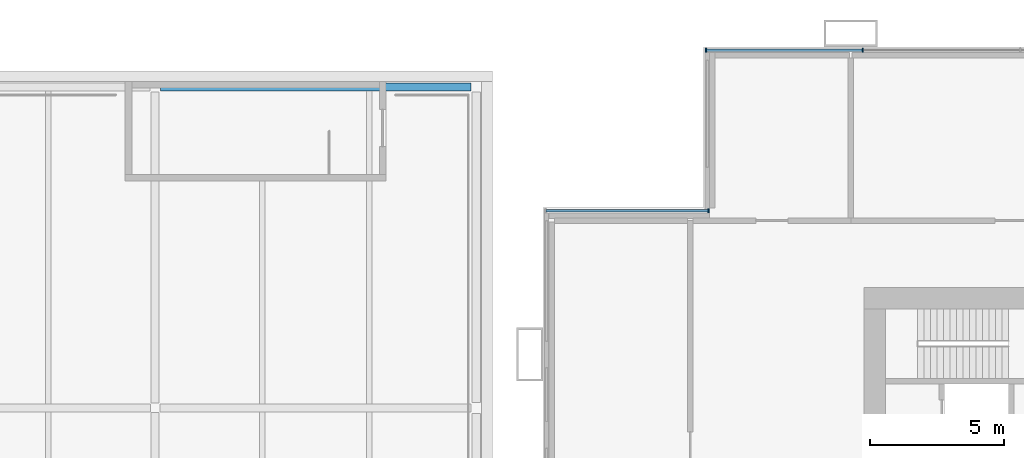
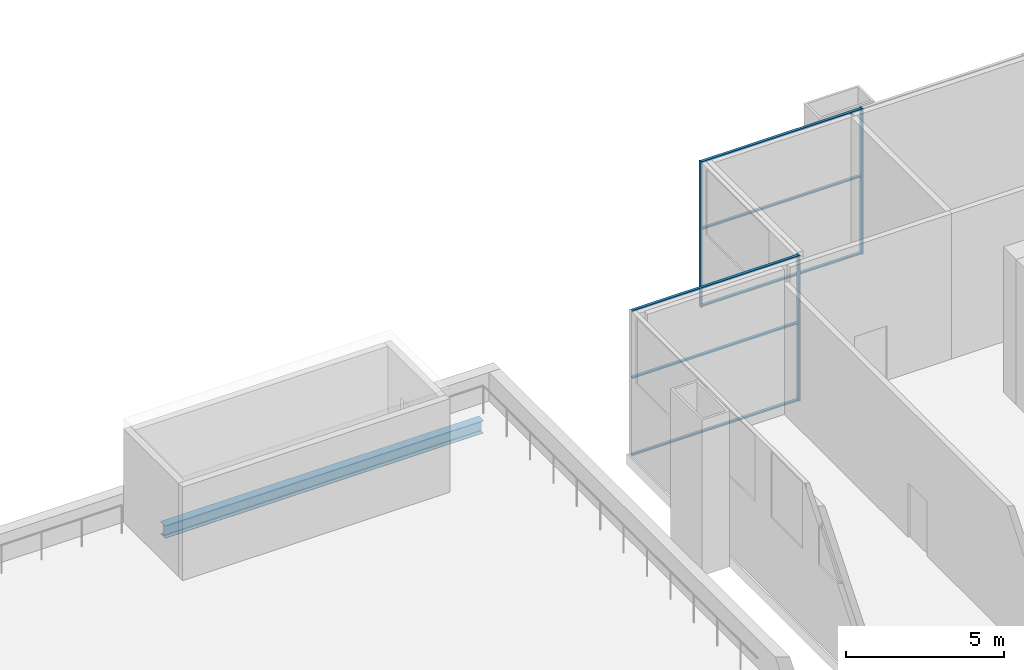
# One storey, part 14 of 27: 9 members, 1 beam, 2 elements without a shape of their own.
"""IFC4 building model written with IfcOpenShell, lengths in metres."""

from ifc_helpers import new_model, si_unit, direction, frame, origin, origin_2d, place, context, subcontext, project, spatial, rectangle, i_section, extrude, material, material_profile, profile_set, type_object, element, aggregate, save


model = new_model("IFC4")

# Units and contexts
model_context = context("Model", 3, precision=1e-05, world=origin(), true_north=direction((0.0, 1.0)))
body_context = subcontext(model_context, "Body", "Model", "MODEL_VIEW")
ifc_project = project(units=[si_unit("LENGTHUNIT", "METRE"), si_unit("AREAUNIT", "SQUARE_METRE"), si_unit("VOLUMEUNIT", "CUBIC_METRE"), si_unit("PLANEANGLEUNIT", "RADIAN"), si_unit("MASSUNIT", "GRAM", prefix="KILO")], contexts=[model_context])

# Site, building, storey
site_placement = place(None, origin())
site = spatial("IfcSite", under=ifc_project, at=site_placement, CompositionType="ELEMENT")
building_placement = place(site_placement, origin())
building = spatial("IfcBuilding", under=site, at=building_placement, Name="Kitamizu Gate Tower and Museum", CompositionType="ELEMENT")
storey_placement = place(building_placement, frame((0.0, 0.0, 24.0)))
storey = spatial("IfcBuildingStorey", under=building, at=storey_placement, Name="L04", CompositionType="ELEMENT", Elevation=24.0)

# Curtain wall, members
ifc_material_1 = material(Name="Bronze anodised aluminium frame, tinted triple glazing", Category="aluminium")
curtain_wall_type = type_object("IfcCurtainWallType", Name="CURTAIN WALL TYPE F TRANSFER STOREY", PredefinedType="NOTDEFINED", material=ifc_material_1)
curtain_wall_1_placement = place(storey_placement, origin())
curtain_wall_1 = element("IfcCurtainWall", 1, at=curtain_wall_1_placement, inside=storey, type_object=curtain_wall_type, Name="Curtain wall CW-F north L04 part 1", PredefinedType="NOTDEFINED")
ifc_material_2 = material(Name="Bronze anodised aluminium", Category="aluminium")
ifc_material_profile_1 = material_profile(ifc_material_2, rectangle(XDim=0.050048828125, YDim=0.14990234375, at=origin_2d()), Name="AL 50X150")
ifc_profile_set_1 = profile_set([ifc_material_profile_1], Name="Bronze anodised aluminium")
member_type_1 = type_object("IfcMemberType", Name="MULLION 50 X 150 TYPE F", PredefinedType="MULLION", material=ifc_profile_set_1)
member_1_placement = place(storey_placement, frame((6.5849609375, 47.364990234375, 0.0), z_axis=(0.0, 0.0, 1.0), x_axis=(1.0, 0.0, 0.0)))
member_1 = element("IfcMember", 2, at=member_1_placement, type_object=member_type_1, Name="CW-F mullion 1", PredefinedType="MULLION", context=body_context, shape_type="SweptSolid", body=[
    extrude(rectangle(XDim=0.050048828125, YDim=0.14990234375, at=origin_2d()), origin(), (0.0, 0.0, 1.0), 5.60009765625),
])
member_2_placement = place(storey_placement, frame((12.447998046875, 47.364990234375, 0.0), z_axis=(0.0, 0.0, 1.0), x_axis=(1.0, 0.0, 0.0)))
member_2 = element("IfcMember", 3, at=member_2_placement, type_object=member_type_1, Name="CW-F mullion 2", PredefinedType="MULLION", context=body_context, shape_type="SweptSolid", body=[
    extrude(rectangle(XDim=0.050048828125, YDim=0.14990234375, at=origin_2d()), origin(), (0.0, 0.0, 1.0), 5.60009765625),
])

# Curtain wall, member
curtain_wall_2_placement = place(storey_placement, origin())
curtain_wall_2 = element("IfcCurtainWall", 4, at=curtain_wall_2_placement, inside=storey, type_object=curtain_wall_type, Name="Curtain wall CW-F north L04", PredefinedType="NOTDEFINED")
member_3_placement = place(storey_placement, frame((6.68505859375, 41.364990234375, 0.0), z_axis=(0.0, 0.0, 1.0), x_axis=(1.0, 0.0, 0.0)))
member_3 = element("IfcMember", 5, at=member_3_placement, type_object=member_type_1, Name="CW-F mullion 2", PredefinedType="MULLION", context=body_context, shape_type="SweptSolid", body=[
    extrude(rectangle(XDim=0.050048828125, YDim=0.14990234375, at=origin_2d()), origin(), (0.0, 0.0, 1.0), 5.60009765625),
])

# Beam
ifc_material_3 = material(Name="Steel SS400", Category="steel")
ifc_material_profile_2 = material_profile(ifc_material_3, i_section(OverallWidth=0.300048828125, OverallDepth=0.488037109375, WebThickness=0.010986328125, FlangeThickness=0.01806640625, FilletRadius=0.02587890625, at=origin_2d()), Name="H-488x300x11x18")
ifc_profile_set_2 = profile_set([ifc_material_profile_2], Name="Steel SS400")
beam_type = type_object("IfcBeamType", Name="Museum girder H 488x300x11x18", PredefinedType="BEAM", material=ifc_profile_set_2)
beam_placement = place(storey_placement, frame((-13.800048828125, 46.0, -0.64404296875), z_axis=(1.0, 0.0, 0.0), x_axis=(0.0, 1.0, 0.0)))
element("IfcBeam", 6, at=beam_placement, inside=storey, type_object=beam_type, Name="Girder xM2M3MG", PredefinedType="BEAM", context=body_context, shape_type="SweptSolid", body=[
    extrude(i_section(OverallWidth=0.300048828125, OverallDepth=0.488037109375, WebThickness=0.010986328125, FlangeThickness=0.01806640625, FilletRadius=0.02587890625, at=origin_2d()), origin(), (0.0, 0.0, 1.0), 11.60009765625),
])

# Member
ifc_material_4 = material(Name="Bronze anodised aluminium", Category="aluminium")
ifc_material_profile_3 = material_profile(ifc_material_4, rectangle(XDim=0.10009765625, YDim=0.06005859375, at=origin_2d()), Name="AL 60X100")
ifc_profile_set_3 = profile_set([ifc_material_profile_3], Name="Bronze anodised aluminium")
member_type_2 = type_object("IfcMemberType", Name="TRANSOM 60 X 100 TYPE F", PredefinedType="USERDEFINED", material=ifc_profile_set_3)
member_4_placement = place(storey_placement, frame((6.610107421875, 47.364990234375, 0.030029296875), z_axis=(1.0, 0.0, 0.0), x_axis=(0.0, 1.0, 0.0)))
member_4 = element("IfcMember", 7, at=member_4_placement, type_object=member_type_2, Name="CW-F transom 1.1", ObjectType="TRANSOM", PredefinedType="USERDEFINED", context=body_context, shape_type="SweptSolid", body=[
    extrude(rectangle(XDim=0.10009765625, YDim=0.06005859375, at=origin_2d()), origin(), (0.0, 0.0, 1.0), 5.81298828125),
])

member_5_placement = place(storey_placement, frame((6.610107421875, 47.364990234375, 3.0), z_axis=(1.0, 0.0, 0.0), x_axis=(0.0, 1.0, 0.0)))
member_5 = element("IfcMember", 8, at=member_5_placement, type_object=member_type_2, Name="CW-F transom 1.2", ObjectType="TRANSOM", PredefinedType="USERDEFINED", context=body_context, shape_type="SweptSolid", body=[
    extrude(rectangle(XDim=0.10009765625, YDim=0.06005859375, at=origin_2d()), origin(), (0.0, 0.0, 1.0), 5.81298828125),
])

member_6_placement = place(storey_placement, frame((6.610107421875, 47.364990234375, 5.570068359375), z_axis=(1.0, 0.0, 0.0), x_axis=(0.0, 1.0, 0.0)))
member_6 = element("IfcMember", 9, at=member_6_placement, type_object=member_type_2, Name="CW-F transom 1.3", ObjectType="TRANSOM", PredefinedType="USERDEFINED", context=body_context, shape_type="SweptSolid", body=[
    extrude(rectangle(XDim=0.10009765625, YDim=0.06005859375, at=origin_2d()), origin(), (0.0, 0.0, 1.0), 5.81298828125),
])

aggregate(curtain_wall_1, [member_1, member_2, member_4, member_5, member_6])

member_7_placement = place(storey_placement, frame((0.610107421875, 41.364990234375, 0.030029296875), z_axis=(1.0, 0.0, 0.0), x_axis=(0.0, 1.0, 0.0)))
member_7 = element("IfcMember", 10, at=member_7_placement, type_object=member_type_2, Name="CW-F transom 1.1", ObjectType="TRANSOM", PredefinedType="USERDEFINED", context=body_context, shape_type="SweptSolid", body=[
    extrude(rectangle(XDim=0.10009765625, YDim=0.06005859375, at=origin_2d()), origin(), (0.0, 0.0, 1.0), 6.0498046875),
])

member_8_placement = place(storey_placement, frame((0.610107421875, 41.364990234375, 3.0), z_axis=(1.0, 0.0, 0.0), x_axis=(0.0, 1.0, 0.0)))
member_8 = element("IfcMember", 11, at=member_8_placement, type_object=member_type_2, Name="CW-F transom 1.2", ObjectType="TRANSOM", PredefinedType="USERDEFINED", context=body_context, shape_type="SweptSolid", body=[
    extrude(rectangle(XDim=0.10009765625, YDim=0.06005859375, at=origin_2d()), origin(), (0.0, 0.0, 1.0), 6.0498046875),
])

member_9_placement = place(storey_placement, frame((0.610107421875, 41.364990234375, 5.570068359375), z_axis=(1.0, 0.0, 0.0), x_axis=(0.0, 1.0, 0.0)))
member_9 = element("IfcMember", 12, at=member_9_placement, type_object=member_type_2, Name="CW-F transom 1.3", ObjectType="TRANSOM", PredefinedType="USERDEFINED", context=body_context, shape_type="SweptSolid", body=[
    extrude(rectangle(XDim=0.10009765625, YDim=0.06005859375, at=origin_2d()), origin(), (0.0, 0.0, 1.0), 6.0498046875),
])

aggregate(curtain_wall_2, [member_3, member_7, member_8, member_9])

save(model, "model.ifc")
